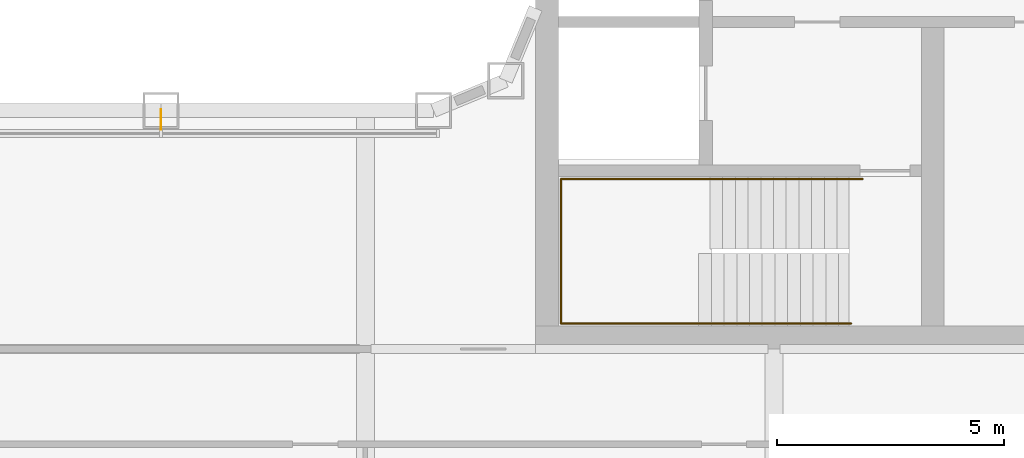
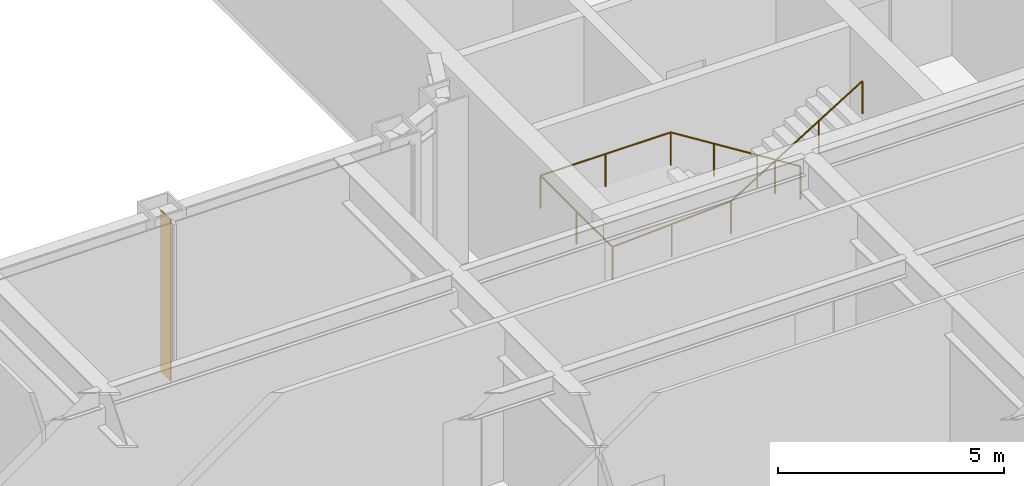
# One storey, part 26 of 30: 1 railing, 1 shading device.
"""IFC4 building model written with IfcOpenShell, lengths in metres."""

from ifc_helpers import new_model, si_unit, direction, frame, origin, origin_2d, place, context, subcontext, project, spatial, rectangle, circle, extrude, material, layer, layer_set, type_object, element, save


model = new_model("IFC4")

# Units and contexts
model_context = context("Model", 3, precision=1e-05, world=origin(), true_north=direction((0.0, 1.0)))
body_context = subcontext(model_context, "Body", "Model", "MODEL_VIEW")
ifc_project = project(units=[si_unit("LENGTHUNIT", "METRE"), si_unit("AREAUNIT", "SQUARE_METRE"), si_unit("VOLUMEUNIT", "CUBIC_METRE"), si_unit("PLANEANGLEUNIT", "RADIAN"), si_unit("MASSUNIT", "GRAM", prefix="KILO")], contexts=[model_context])

# Site, building, storey
site_placement = place(None, origin())
site = spatial("IfcSite", under=ifc_project, at=site_placement, CompositionType="ELEMENT")
building_placement = place(site_placement, origin())
building = spatial("IfcBuilding", under=site, at=building_placement, Name="Siwar Civic Tower", CompositionType="ELEMENT")
storey_placement = place(building_placement, frame((0.0, 0.0, 26.699951171875)))
storey = spatial("IfcBuildingStorey", under=building, at=storey_placement, Name="L05", CompositionType="ELEMENT", Elevation=26.699951171875)

# Railing
ifc_material_1 = material(Name="Stainless steel", Category="steel")
railing_type = type_object("IfcRailingType", Name="CORE-STAIR-HANDRAIL", PredefinedType="HANDRAIL", material=ifc_material_1)
railing_placement = place(storey_placement, frame((15.449951171875, -9.758056640625, 0.173095703125)))
element("IfcRailing", 1, at=railing_placement, inside=storey, type_object=railing_type, Name="Stair handrail ST4", PredefinedType="HANDRAIL", context=body_context, shape_type="SweptSolid", body=[
    extrude(circle(Radius=0.02001953125, at=origin_2d()), frame((0.0, 0.0, 0.8798828125), z_axis=(-0.847063342986, 0.0, 0.531491950051), x_axis=(0.0, -1.0, 0.0)), (0.0, 0.0, 1.0), 3.90771484375),
    extrude(circle(Radius=0.02001953125, at=origin_2d()), frame((-3.31005859375, 0.0, 2.956787109375), z_axis=(-1.0, 0.0, 0.0), x_axis=(0.0, -1.0, 0.0)), (0.0, 0.0, 1.0), 3.331787109375),
    extrude(circle(Radius=0.02001953125, at=origin_2d()), frame((-6.641845703125, 0.0, 2.956787109375), z_axis=(0.0, -1.0, 0.0), x_axis=(1.0, 0.0, 0.0)), (0.0, 0.0, 1.0), 3.183837890625),
    extrude(circle(Radius=0.02001953125, at=origin_2d()), frame((-6.641845703125, -3.183837890625, 2.956787109375), z_axis=(0.99837434197, 0.0, 0.056997134106), x_axis=(0.0, 1.0, 0.0)), (0.0, 0.0, 1.0), 3.036865234375),
    extrude(circle(Radius=0.02001953125, at=origin_2d()), frame((-3.60986328125, -3.183837890625, 3.1298828125), z_axis=(0.850606129759, 0.0, 0.525803396734), x_axis=(0.0, 1.0, 0.0)), (0.0, 0.0, 1.0), 3.949951171875),
    extrude(circle(Radius=0.02001953125, at=origin_2d()), origin(), (0.0, 0.0, 1.0), 0.85986328125),
    extrude(circle(Radius=0.02001953125, at=origin_2d()), frame((-1.103271484375, 0.0, 0.6923828125)), (0.0, 0.0, 1.0), 0.85986328125),
    extrude(circle(Radius=0.02001953125, at=origin_2d()), frame((-2.206787109375, 0.0, 1.384521484375)), (0.0, 0.0, 1.0), 0.85986328125),
    extrude(circle(Radius=0.02001953125, at=origin_2d()), frame((-3.31005859375, 0.0, 2.076904296875)), (0.0, 0.0, 1.0), 0.85986328125),
    extrude(circle(Radius=0.02001953125, at=origin_2d()), frame((-4.97607421875, 0.0, 2.076904296875)), (0.0, 0.0, 1.0), 0.85986328125),
    extrude(circle(Radius=0.02001953125, at=origin_2d()), frame((-6.641845703125, 0.0, 2.076904296875)), (0.0, 0.0, 1.0), 0.85986328125),
    extrude(circle(Radius=0.02001953125, at=origin_2d()), frame((-6.641845703125, -1.591796875, 2.076904296875)), (0.0, 0.0, 1.0), 0.85986328125),
    extrude(circle(Radius=0.02001953125, at=origin_2d()), frame((-6.641845703125, -3.183837890625, 2.076904296875)), (0.0, 0.0, 1.0), 0.85986328125),
    extrude(circle(Radius=0.02001953125, at=origin_2d()), frame((-5.1259765625, -3.183837890625, 2.16357421875)), (0.0, 0.0, 1.0), 0.85986328125),
    extrude(circle(Radius=0.02001953125, at=origin_2d()), frame((-3.60986328125, -3.183837890625, 2.25)), (0.0, 0.0, 1.0), 0.85986328125),
    extrude(circle(Radius=0.02001953125, at=origin_2d()), frame((-2.489990234375, -3.183837890625, 2.9423828125)), (0.0, 0.0, 1.0), 0.85986328125),
    extrude(circle(Radius=0.02001953125, at=origin_2d()), frame((-1.369873046875, -3.183837890625, 3.634521484375)), (0.0, 0.0, 1.0), 0.85986328125),
    extrude(circle(Radius=0.02001953125, at=origin_2d()), frame((-0.25, -3.183837890625, 4.326904296875)), (0.0, 0.0, 1.0), 0.85986328125),
])

# Shading device
ifc_material_2 = material(Name="Aluminium 6063-T6", Category="aluminium")
ifc_layer = layer(ifc_material_2, 0.02001953125)
ifc_layer_set = layer_set([ifc_layer], Name="Aluminium 6063-T6")
shading_device_type = type_object("IfcShadingDeviceType", Name="ENV-FIN", PredefinedType="JALOUSIE", material=ifc_layer_set)
shading_device_placement = place(storey_placement, frame((0.0, -8.445068359375, 0.0), z_axis=(0.0, 0.0, 1.0), x_axis=(1.0, 0.0, 0.0)))
element("IfcShadingDevice", 2, at=shading_device_placement, inside=storey, type_object=shading_device_type, Name="SUNSHADE fin WS 1", PredefinedType="JALOUSIE", context=body_context, shape_type="SweptSolid", body=[
    extrude(rectangle(XDim=0.02001953125, YDim=0.449951171875, at=origin_2d()), origin(), (0.0, 0.0, 1.0), 4.35009765625),
])

save(model, "model.ifc")
